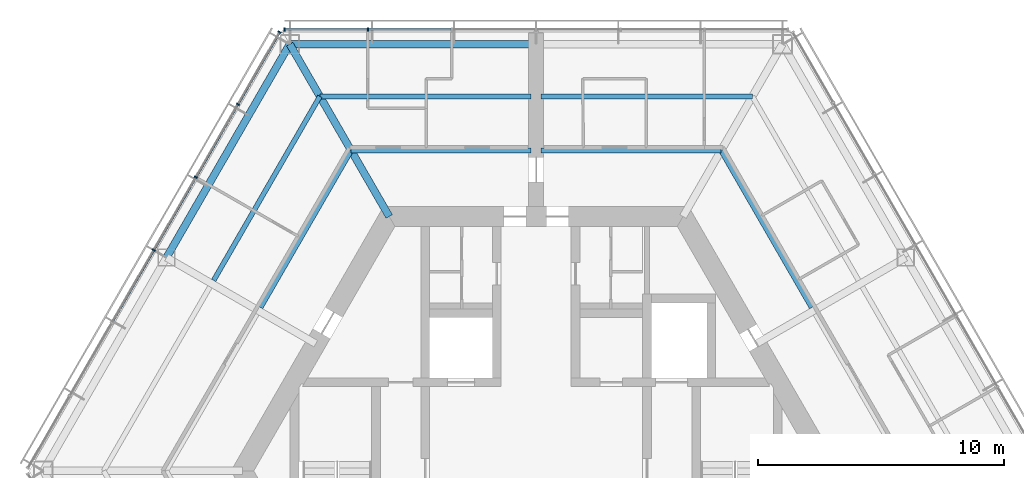
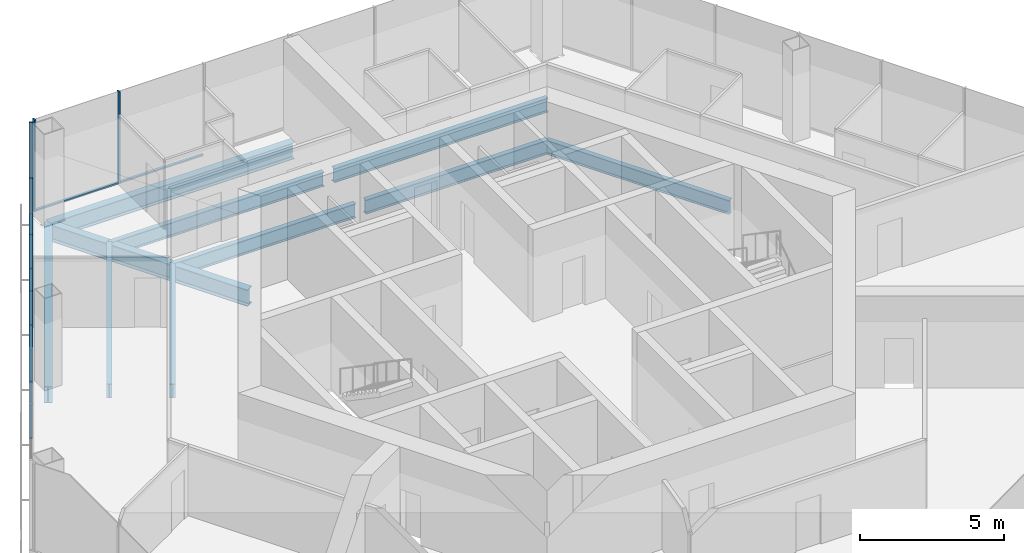
# One storey, part 6 of 14: 12 members, 10 beams, 2 elements without a shape of their own.
"""IFC4 building model written with IfcOpenShell, lengths in metres."""

import ifcopenshell
import ifcopenshell.guid

model = None  # the IFC model being written
_history = None  # IfcOwnerHistory: only IFC2X3 demands one
_inside = {}  # id of a spatial element -> (the spatial element, [elements in it])
_under = {}  # id of a project, library or spatial element -> (it, [spatial elements below it])
_declared = {}  # id of a project -> (the project, [libraries it declares])
_typed = {}  # id of a type object -> (the type object, [elements of that type])
_made_of = {}  # id of a material, layer set ... -> (it, [elements and type objects made of it])


def new_model(schema):
    """Start an empty IFC model of exactly this schema.

    Asked for "IFC4X3", IfcOpenShell would pick the latest addendum, in which some entities
    have other attributes; the version numbers below select the first issue.
    IFC2X3 requires an IfcOwnerHistory on every rooted entity: one is made here for all.
    """
    global model, _history
    if schema == "IFC4X3":
        model = ifcopenshell.file(schema_version=(4, 3, 0, 0))
    else:
        model = ifcopenshell.file(schema=schema)
    _inside.clear()
    _under.clear()
    _declared.clear()
    _typed.clear()
    _made_of.clear()
    _history = None
    if model.schema == "IFC2X3":
        org = make("IfcOrganization", Name="unknown")
        user = make(
            "IfcPersonAndOrganization",
            ThePerson=make("IfcPerson", FamilyName="unknown"),
            TheOrganization=org,
        )
        app = make(
            "IfcApplication",
            ApplicationDeveloper=org,
            Version="unknown",
            ApplicationFullName="unknown",
            ApplicationIdentifier="unknown",
        )
        _history = make(
            "IfcOwnerHistory",
            OwningUser=user,
            OwningApplication=app,
            ChangeAction="ADDED",
            CreationDate=0,
        )
    return model


def make(cls, **values):
    """One entity of the class cls with the attributes given. An attribute that is None is left unset."""
    return model.create_entity(
        cls, **{name: value for name, value in values.items() if value is not None}
    )


def rooted(cls, **values):
    """An entity with a GlobalId (a new one), such as an element, a storey or a relation."""
    return make(cls, GlobalId=ifcopenshell.guid.new(), OwnerHistory=_history, **values)


def si_unit(unit_type, name, prefix=None):
    """IfcSIUnit, for example si_unit("LENGTHUNIT", "METRE", prefix="MILLI")."""
    return make("IfcSIUnit", UnitType=unit_type, Prefix=prefix, Name=name)


def assignment(units):
    """IfcUnitAssignment: the units of a project."""
    return None if units is None else make("IfcUnitAssignment", Units=units)


def point(xyz):
    """IfcCartesianPoint."""
    return None if xyz is None else make("IfcCartesianPoint", Coordinates=xyz)


def direction(xyz):
    """IfcDirection."""
    return None if xyz is None else make("IfcDirection", DirectionRatios=xyz)


def frame(location, z_axis=None, x_axis=None):
    """IfcAxis2Placement3D, a coordinate frame: its origin and axes. An axis left out is left unset."""
    return make(
        "IfcAxis2Placement3D",
        Location=point(location),
        Axis=direction(z_axis),
        RefDirection=direction(x_axis),
    )


def frame_2d(location, x_axis=None):
    """IfcAxis2Placement2D, a coordinate frame in the plane: its origin and x axis."""
    return make(
        "IfcAxis2Placement2D", Location=point(location), RefDirection=direction(x_axis)
    )


def origin():
    """The frame at (0, 0, 0) with its axes left unset."""
    return frame((0.0, 0.0, 0.0))


def origin_2d():
    """The frame at (0, 0) in the plane with its x axis left unset."""
    return frame_2d((0.0, 0.0))


def place(relative_to, where):
    """IfcLocalPlacement: puts the frame where relative to a parent placement (None: the world)."""
    return make(
        "IfcLocalPlacement", PlacementRelTo=relative_to, RelativePlacement=where
    )


def context(
    kind, dimensions, precision=None, world=None, true_north=None, identifier=None
):
    """IfcGeometricRepresentationContext, for example the 3D "Model" context."""
    return make(
        "IfcGeometricRepresentationContext",
        ContextIdentifier=identifier,
        ContextType=kind,
        CoordinateSpaceDimension=dimensions,
        Precision=precision,
        WorldCoordinateSystem=world,
        TrueNorth=true_north,
    )


def subcontext(parent, identifier, kind, view, scale=None):
    """IfcGeometricRepresentationSubContext, for example "Body" below "Model"."""
    return make(
        "IfcGeometricRepresentationSubContext",
        ContextIdentifier=identifier,
        ContextType=kind,
        ParentContext=parent,
        TargetScale=scale,
        TargetView=view,
    )


def project(units=None, contexts=None):
    """IfcProject with its units and contexts."""
    return rooted(
        "IfcProject",
        Name="project",
        RepresentationContexts=contexts,
        UnitsInContext=assignment(units),
    )


def spatial(cls, under=None, at=None, **own):
    """A site, building, storey or space (cls), placed at a placement, below another one or the project."""
    s = rooted(cls, ObjectPlacement=at, **own)
    if under is not None:
        _under.setdefault(under.id(), (under, []))[1].append(s)
    return s


def profile(cls, at=None, kind="AREA", **sizes):
    """A parametric profile (cls). Its sizes go by their IFC names, for example OverallWidth=200.0."""
    return make(cls, ProfileType=kind, Position=at, **sizes)


def rectangle(**sizes):
    """IfcRectangleProfileDef."""
    return profile("IfcRectangleProfileDef", **sizes)


def i_section(**sizes):
    """IfcIShapeProfileDef."""
    return profile("IfcIShapeProfileDef", **sizes)


def extrude(swept, where, along, depth):
    """IfcExtrudedAreaSolid: the profile swept, set in the frame where, extruded along a direction by depth."""
    return make(
        "IfcExtrudedAreaSolid",
        SweptArea=swept,
        Position=where,
        ExtrudedDirection=direction(along),
        Depth=depth,
    )


def shape(context_of_items, identifier, shape_type, items):
    """IfcShapeRepresentation: the items that make up one representation, for example the "Body"."""
    return make(
        "IfcShapeRepresentation",
        ContextOfItems=context_of_items,
        RepresentationIdentifier=identifier,
        RepresentationType=shape_type,
        Items=items,
    )


def material(Name=None, Category=None):
    """IfcMaterial."""
    return make("IfcMaterial", Name=Name, Category=Category)


def material_profile(
    of_material, cross_section, Name=None, Category=None, Priority=None
):
    """IfcMaterialProfile: a cross section and its material."""
    return make(
        "IfcMaterialProfile",
        Name=Name,
        Material=of_material,
        Profile=cross_section,
        Priority=Priority,
        Category=Category,
    )


def profile_set(profiles, Name=None, composite=None):
    """IfcMaterialProfileSet."""
    return make(
        "IfcMaterialProfileSet",
        Name=Name,
        MaterialProfiles=profiles,
        CompositeProfile=composite,
    )


def made_of(thing, what):
    """Note that an element or type object is made of a material, layer set ...; save() writes the relation."""
    if what is not None:
        _made_of.setdefault(what.id(), (what, []))[1].append(thing)
    return thing


def type_object(cls, material=None, **own):
    """A type object (cls), such as IfcWallType, which elements share."""
    return made_of(rooted(cls, **own), material)


def element(
    cls,
    number,
    at=None,
    inside=None,
    cuts=None,
    type_object=None,
    material=None,
    context=None,
    identifier="Body",
    shape_type=None,
    held_by="IfcProductDefinitionShape",
    body=None,
    shapes=None,
    **own,
):
    """One element of the class cls, such as IfcWall. Its Tag is "e" and its number.

    at: its placement. inside: the storey or other place that contains it. cuts: it is an
    opening in that element (IfcRelVoidsElement). A single representation is given by context,
    identifier, shape_type and body (its items); several are given by shapes. held_by: the class
    of the entity that holds the representations. save() writes the other relations.
    """
    e = rooted(cls, Tag="e%d" % number, ObjectPlacement=at, **own)
    if body is not None:
        shapes = [shape(context, identifier, shape_type, body)]
    if shapes is not None:
        e.Representation = make(held_by, Representations=shapes)
    if inside is not None:
        _inside.setdefault(inside.id(), (inside, []))[1].append(e)
    if cuts is not None:
        rooted(
            "IfcRelVoidsElement", RelatingBuildingElement=cuts, RelatedOpeningElement=e
        )
    if type_object is not None:
        _typed.setdefault(type_object.id(), (type_object, []))[1].append(e)
    return made_of(e, material)


def aggregate(whole, parts):
    """IfcRelAggregates: a whole, such as a stair, and the parts it consists of."""
    return rooted("IfcRelAggregates", RelatingObject=whole, RelatedObjects=parts)


def save(model, path):
    """Write the relations noted so far, then the file.

    IfcRelAggregates (storeys below a building ...), IfcRelContainedInSpatialStructure (elements
    in a storey), IfcRelDefinesByType, IfcRelAssociatesMaterial and IfcRelDeclares: one each for
    every whole, place, type object, material and project.
    """
    for whole, parts in _under.values():
        aggregate(whole, parts)
    for where, things in _inside.values():
        rooted(
            "IfcRelContainedInSpatialStructure",
            RelatedElements=things,
            RelatingStructure=where,
        )
    for kind, things in _typed.values():
        rooted("IfcRelDefinesByType", RelatedObjects=things, RelatingType=kind)
    for what, things in _made_of.values():
        rooted("IfcRelAssociatesMaterial", RelatedObjects=things, RelatingMaterial=what)
    for by, libraries in _declared.values():
        rooted("IfcRelDeclares", RelatingContext=by, RelatedDefinitions=libraries)
    model.write(path)


model = new_model("IFC4")

# Units and contexts
model_context = context("Model", 3, precision=1e-05, world=origin(), true_north=direction((0.0, 1.0)))
body_context = subcontext(model_context, "Body", "Model", "MODEL_VIEW")
ifc_project = project(units=[si_unit("LENGTHUNIT", "METRE"), si_unit("AREAUNIT", "SQUARE_METRE"), si_unit("VOLUMEUNIT", "CUBIC_METRE"), si_unit("PLANEANGLEUNIT", "RADIAN"), si_unit("MASSUNIT", "GRAM", prefix="KILO")], contexts=[model_context])

# Site, building, storey
site_placement = place(None, origin())
site = spatial("IfcSite", under=ifc_project, at=site_placement, CompositionType="ELEMENT")
building_placement = place(site_placement, origin())
building = spatial("IfcBuilding", under=site, at=building_placement, Name="Kasaneha Research Tower", CompositionType="ELEMENT")
storey_placement = place(building_placement, frame((0.0, 0.0, 216.699951171875)))
storey = spatial("IfcBuildingStorey", under=building, at=storey_placement, Name="L54", CompositionType="ELEMENT", Elevation=216.699951171875)

# Beams
ifc_material_1 = material(Name="Steel SN490B", Category="steel")
ifc_material_profile_1 = material_profile(ifc_material_1, i_section(OverallWidth=0.199951171875, OverallDepth=0.60009765625, WebThickness=0.010986328125, FlangeThickness=0.01708984375, FilletRadius=0.012939453125, at=origin_2d()), Name="H-600x200x11x17")
ifc_profile_set_1 = profile_set([ifc_material_profile_1], Name="Steel SN490B")
beam_type_1 = type_object("IfcBeamType", Name="B1-3 secondary beam H-600x200x11x17", PredefinedType="JOIST", material=ifc_profile_set_1)
beam_1_placement = place(storey_placement, frame((7.505615234375, 13.0, -0.449951171875), z_axis=(0.499994443168, -0.866028611999, 0.0), x_axis=(0.866028611999, 0.499994443168, 0.0)))
element("IfcBeam", 1, at=beam_1_placement, inside=storey, type_object=beam_type_1, Name="Secondary beam RS030R1 L54", PredefinedType="JOIST", context=body_context, shape_type="SweptSolid", body=[
    extrude(i_section(OverallWidth=0.199951171875, OverallDepth=0.60009765625, WebThickness=0.010986328125, FlangeThickness=0.01708984375, FilletRadius=0.012939453125, at=origin_2d()), origin(), (0.0, 0.0, 1.0), 7.35546875),
])
beam_2_placement = place(storey_placement, frame((7.505615234375, 13.0, -0.449951171875), z_axis=(-1.0, 0.0, 0.0), x_axis=(0.0, -1.0, 0.0)))
element("IfcBeam", 2, at=beam_2_placement, inside=storey, type_object=beam_type_1, Name="Secondary beam RS090L1 L54", PredefinedType="JOIST", context=body_context, shape_type="SweptSolid", body=[
    extrude(i_section(OverallWidth=0.199951171875, OverallDepth=0.60009765625, WebThickness=0.010986328125, FlangeThickness=0.01708984375, FilletRadius=0.012939453125, at=origin_2d()), origin(), (0.0, 0.0, 1.0), 7.3056640625),
])
beam_3_placement = place(storey_placement, frame((8.775634765625, 15.199951171875, -0.449951171875), z_axis=(-1.0, 0.0, 0.0), x_axis=(0.0, -1.0, 0.0)))
element("IfcBeam", 3, at=beam_3_placement, inside=storey, type_object=beam_type_1, Name="Secondary beam RS090L2 L54", PredefinedType="JOIST", context=body_context, shape_type="SweptSolid", body=[
    extrude(i_section(OverallWidth=0.199951171875, OverallDepth=0.60009765625, WebThickness=0.010986328125, FlangeThickness=0.01708984375, FilletRadius=0.012939453125, at=origin_2d()), origin(), (0.0, 0.0, 1.0), 8.57568359375),
])
beam_4_placement = place(storey_placement, frame((-7.505615234375, 13.0, -0.449951171875), z_axis=(1.0, 0.0, 0.0), x_axis=(0.0, 1.0, 0.0)))
element("IfcBeam", 4, at=beam_4_placement, inside=storey, type_object=beam_type_1, Name="Secondary beam RS090R1 L54", PredefinedType="JOIST", context=body_context, shape_type="SweptSolid", body=[
    extrude(i_section(OverallWidth=0.199951171875, OverallDepth=0.60009765625, WebThickness=0.010986328125, FlangeThickness=0.01708984375, FilletRadius=0.012939453125, at=origin_2d()), origin(), (0.0, 0.0, 1.0), 7.3056640625),
])
beam_5_placement = place(storey_placement, frame((-8.775634765625, 15.199951171875, -0.449951171875), z_axis=(1.0, 0.0, 0.0), x_axis=(0.0, 1.0, 0.0)))
element("IfcBeam", 5, at=beam_5_placement, inside=storey, type_object=beam_type_1, Name="Secondary beam RS090R2 L54", PredefinedType="JOIST", context=body_context, shape_type="SweptSolid", body=[
    extrude(i_section(OverallWidth=0.199951171875, OverallDepth=0.60009765625, WebThickness=0.010986328125, FlangeThickness=0.01708984375, FilletRadius=0.012939453125, at=origin_2d()), origin(), (0.0, 0.0, 1.0), 8.57568359375),
])
beam_6_placement = place(storey_placement, frame((-7.505615234375, 13.0, -0.449951171875), z_axis=(-0.499994443168, -0.866028611999, 0.0), x_axis=(0.866028611999, -0.499994443168, 0.0)))
element("IfcBeam", 6, at=beam_6_placement, inside=storey, type_object=beam_type_1, Name="Secondary beam RS150L1 L54", PredefinedType="JOIST", context=body_context, shape_type="SweptSolid", body=[
    extrude(i_section(OverallWidth=0.199951171875, OverallDepth=0.60009765625, WebThickness=0.010986328125, FlangeThickness=0.01708984375, FilletRadius=0.012939453125, at=origin_2d()), origin(), (0.0, 0.0, 1.0), 7.35546875),
])
beam_7_placement = place(storey_placement, frame((-8.775634765625, 15.199951171875, -0.449951171875), z_axis=(-0.500017275495, -0.866015429543, 0.0), x_axis=(0.866015429543, -0.500017275495, 0.0)))
element("IfcBeam", 7, at=beam_7_placement, inside=storey, type_object=beam_type_1, Name="Secondary beam RS150L2 L54", PredefinedType="JOIST", context=body_context, shape_type="SweptSolid", body=[
    extrude(i_section(OverallWidth=0.199951171875, OverallDepth=0.60009765625, WebThickness=0.010986328125, FlangeThickness=0.01708984375, FilletRadius=0.012939453125, at=origin_2d()), origin(), (0.0, 0.0, 1.0), 8.625732421875),
])

# Curtain wall, members
ifc_material_2 = material(Name="Glass and aluminium", Category="aluminium")
curtain_wall_type = type_object("IfcCurtainWallType", Name="High-rise office curtain wall", PredefinedType="USERDEFINED", material=ifc_material_2)
curtain_wall_1_placement = place(storey_placement, origin())
curtain_wall_1 = element("IfcCurtainWall", 8, at=curtain_wall_1_placement, inside=storey, type_object=curtain_wall_type, Name="CW-O3 L54 run 02a", ObjectType="UNITISED CURTAIN WALL", PredefinedType="USERDEFINED")
ifc_material_3 = material(Name="Aluminium 6063-T6", Category="aluminium")
ifc_material_profile_2 = material_profile(ifc_material_3, rectangle(XDim=0.06005859375, YDim=0.139892578125, at=origin_2d()), Name="CW-O3 mullion 60x140")
ifc_profile_set_2 = profile_set([ifc_material_profile_2], Name="Aluminium 6063-T6")
member_type_1 = type_object("IfcMemberType", Name="CW-O3 mullion", PredefinedType="MULLION", material=ifc_profile_set_2)
member_1_placement = place(storey_placement, frame((-6.8310546875, 17.92041015625, 0.0), z_axis=(0.0, 0.0, 1.0), x_axis=(-1.0, 0.0, 0.0)))
member_1 = element("IfcMember", 9, at=member_1_placement, type_object=member_type_1, Name="CW-O3 mullion 6", PredefinedType="MULLION", context=body_context, shape_type="SweptSolid", body=[
    extrude(rectangle(XDim=0.06005859375, YDim=0.139892578125, at=origin_2d()), origin(), (0.0, 0.0, 1.0), 3.900146484375),
])
member_2_placement = place(storey_placement, frame((-10.21630859375, 17.92041015625, 0.0), z_axis=(0.0, 0.0, 1.0), x_axis=(-1.0, 0.0, 0.0)))
member_2 = element("IfcMember", 10, at=member_2_placement, type_object=member_type_1, Name="CW-O3 mullion 7", PredefinedType="MULLION", context=body_context, shape_type="SweptSolid", body=[
    extrude(rectangle(XDim=0.06005859375, YDim=0.139892578125, at=origin_2d()), origin(), (0.0, 0.0, 1.0), 3.900146484375),
])

curtain_wall_2_placement = place(storey_placement, origin())
curtain_wall_2 = element("IfcCurtainWall", 11, at=curtain_wall_2_placement, inside=storey, type_object=curtain_wall_type, Name="CW-O3 L54 run 03a", ObjectType="UNITISED CURTAIN WALL", PredefinedType="USERDEFINED")
member_3_placement = place(storey_placement, frame((-10.411376953125, 17.807861328125, 0.0), z_axis=(0.0, 0.0, 1.0), x_axis=(-0.499999995722, -0.866025406254, 0.0)))
member_3 = element("IfcMember", 12, at=member_3_placement, type_object=member_type_1, Name="CW-O3 mullion 1", PredefinedType="MULLION", context=body_context, shape_type="SweptSolid", body=[
    extrude(rectangle(XDim=0.06005859375, YDim=0.139892578125, at=origin_2d()), origin(), (0.0, 0.0, 1.0), 3.900146484375),
])
member_4_placement = place(storey_placement, frame((-12.104248046875, 14.8759765625, 0.0), z_axis=(0.0, 0.0, 1.0), x_axis=(-0.499999995722, -0.866025406254, 0.0)))
member_4 = element("IfcMember", 13, at=member_4_placement, type_object=member_type_1, Name="CW-O3 mullion 2", PredefinedType="MULLION", context=body_context, shape_type="SweptSolid", body=[
    extrude(rectangle(XDim=0.06005859375, YDim=0.139892578125, at=origin_2d()), origin(), (0.0, 0.0, 1.0), 3.900146484375),
])
member_5_placement = place(storey_placement, frame((-13.811767578125, 11.918212890625, 0.0), z_axis=(0.0, 0.0, 1.0), x_axis=(-0.499999995722, -0.866025406254, 0.0)))
member_5 = element("IfcMember", 14, at=member_5_placement, type_object=member_type_1, Name="CW-O3 mullion 3", PredefinedType="MULLION", context=body_context, shape_type="SweptSolid", body=[
    extrude(rectangle(XDim=0.06005859375, YDim=0.139892578125, at=origin_2d()), origin(), (0.0, 0.0, 1.0), 3.900146484375),
])
member_6_placement = place(storey_placement, frame((-15.51953125, 8.960205078125, 0.0), z_axis=(0.0, 0.0, 1.0), x_axis=(-0.499999995722, -0.866025406254, 0.0)))
member_6 = element("IfcMember", 15, at=member_6_placement, type_object=member_type_1, Name="CW-O3 mullion 4", PredefinedType="MULLION", context=body_context, shape_type="SweptSolid", body=[
    extrude(rectangle(XDim=0.06005859375, YDim=0.139892578125, at=origin_2d()), origin(), (0.0, 0.0, 1.0), 3.900146484375),
])

# Member
ifc_material_4 = material(Name="Aluminium 6063-T6", Category="aluminium")
ifc_material_profile_3 = material_profile(ifc_material_4, rectangle(XDim=0.10009765625, YDim=0.06005859375, at=origin_2d()), Name="CW-O3 transom 100x60")
ifc_profile_set_3 = profile_set([ifc_material_profile_3], Name="Aluminium 6063-T6")
member_type_2 = type_object("IfcMemberType", Name="CW-O3 transom", PredefinedType="USERDEFINED", material=ifc_profile_set_3)
member_7_placement = place(storey_placement, frame((-3.445556640625, 17.92041015625, 0.030029296875), z_axis=(-1.0, 0.0, 0.0), x_axis=(0.0, -1.0, 0.0)))
member_7 = element("IfcMember", 16, at=member_7_placement, type_object=member_type_2, Name="CW-O3 transom 5", ObjectType="TRANSOM", PredefinedType="USERDEFINED", context=body_context, shape_type="SweptSolid", body=[
    extrude(rectangle(XDim=0.10009765625, YDim=0.06005859375, at=origin_2d()), origin(), (0.0, 0.0, 1.0), 3.35546875),
])

member_8_placement = place(storey_placement, frame((-6.86083984375, 17.92041015625, 0.030029296875), z_axis=(-1.0, 0.0, 0.0), x_axis=(0.0, -1.0, 0.0)))
member_8 = element("IfcMember", 17, at=member_8_placement, type_object=member_type_2, Name="CW-O3 transom 6", ObjectType="TRANSOM", PredefinedType="USERDEFINED", context=body_context, shape_type="SweptSolid", body=[
    extrude(rectangle(XDim=0.10009765625, YDim=0.06005859375, at=origin_2d()), origin(), (0.0, 0.0, 1.0), 3.32568359375),
])

aggregate(curtain_wall_1, [member_1, member_2, member_7, member_8])

member_9_placement = place(storey_placement, frame((-10.426513671875, 17.781982421875, 0.030029296875), z_axis=(-0.49997666526, -0.866038875684, 0.0), x_axis=(0.866038875684, -0.49997666526, 0.0)))
member_9 = element("IfcMember", 18, at=member_9_placement, type_object=member_type_2, Name="CW-O3 transom 1", ObjectType="TRANSOM", PredefinedType="USERDEFINED", context=body_context, shape_type="SweptSolid", body=[
    extrude(rectangle(XDim=0.10009765625, YDim=0.06005859375, at=origin_2d()), origin(), (0.0, 0.0, 1.0), 3.325439453125),
])

member_10_placement = place(storey_placement, frame((-12.119140625, 14.85009765625, 0.030029296875), z_axis=(-0.499989072476, -0.866031712701, 0.0), x_axis=(0.866031712701, -0.499989072476, 0.0)))
member_10 = element("IfcMember", 19, at=member_10_placement, type_object=member_type_2, Name="CW-O3 transom 2", ObjectType="TRANSOM", PredefinedType="USERDEFINED", context=body_context, shape_type="SweptSolid", body=[
    extrude(rectangle(XDim=0.10009765625, YDim=0.06005859375, at=origin_2d()), origin(), (0.0, 0.0, 1.0), 3.35546875),
])

member_11_placement = place(storey_placement, frame((-13.826904296875, 11.89208984375, 0.030029296875), z_axis=(-0.500020578564, -0.866013522419, 0.0), x_axis=(0.866013522419, -0.500020578564, 0.0)))
member_11 = element("IfcMember", 20, at=member_11_placement, type_object=member_type_2, Name="CW-O3 transom 3", ObjectType="TRANSOM", PredefinedType="USERDEFINED", context=body_context, shape_type="SweptSolid", body=[
    extrude(rectangle(XDim=0.10009765625, YDim=0.06005859375, at=origin_2d()), origin(), (0.0, 0.0, 1.0), 3.355224609375),
])

member_12_placement = place(storey_placement, frame((-15.53466796875, 8.934326171875, 0.030029296875), z_axis=(-0.499989072476, -0.866031712701, 0.0), x_axis=(0.866031712701, -0.499989072476, 0.0)))
member_12 = element("IfcMember", 21, at=member_12_placement, type_object=member_type_2, Name="CW-O3 transom 4", ObjectType="TRANSOM", PredefinedType="USERDEFINED", context=body_context, shape_type="SweptSolid", body=[
    extrude(rectangle(XDim=0.10009765625, YDim=0.06005859375, at=origin_2d()), origin(), (0.0, 0.0, 1.0), 3.35546875),
])

aggregate(curtain_wall_2, [member_3, member_4, member_5, member_6, member_9, member_10, member_11, member_12])

# Beams
ifc_material_5 = material(Name="Steel SN490B", Category="steel")
ifc_material_profile_4 = material_profile(ifc_material_5, i_section(OverallWidth=0.300048828125, OverallDepth=0.699951171875, WebThickness=0.012939453125, FlangeThickness=0.02392578125, FilletRadius=0.01806640625, at=origin_2d()), Name="H-700x300x13x24")
ifc_profile_set_4 = profile_set([ifc_material_profile_4], Name="Steel SN490B")
beam_type_2 = type_object("IfcBeamType", Name="G1-3 radial girder H-700x300x13x24", PredefinedType="BEAM", material=ifc_profile_set_4)
beam_8_placement = place(storey_placement, frame((-5.961181640625, 10.324951171875, -0.5), z_axis=(-0.49999105496, 0.866030568144, 0.0), x_axis=(-0.866030568144, -0.49999105496, 0.0)))
element("IfcBeam", 22, at=beam_8_placement, inside=storey, type_object=beam_type_2, Name="Radial girder RV120 L54", PredefinedType="BEAM", context=body_context, shape_type="SweptSolid", body=[
    extrude(i_section(OverallWidth=0.300048828125, OverallDepth=0.699951171875, WebThickness=0.012939453125, FlangeThickness=0.02392578125, FilletRadius=0.01806640625, at=origin_2d()), origin(), (0.0, 0.0, 1.0), 8.077880859375),
])
ifc_material_6 = material(Name="Steel SN490B", Category="steel")
ifc_material_profile_5 = material_profile(ifc_material_6, i_section(OverallWidth=0.300048828125, OverallDepth=0.69189453125, WebThickness=0.012939453125, FlangeThickness=0.02001953125, FilletRadius=0.01806640625, at=origin_2d()), Name="H-692x300x13x20")
ifc_profile_set_5 = profile_set([ifc_material_profile_5], Name="Steel SN490B")
beam_type_3 = type_object("IfcBeamType", Name="G3-3 plate edge girder H-692x300x13x20", PredefinedType="BEAM", material=ifc_profile_set_5)
beam_9_placement = place(storey_placement, frame((-10.0, 17.320556640625, -0.495849609375), z_axis=(1.0, 0.0, 0.0), x_axis=(0.0, 1.0, 0.0)))
element("IfcBeam", 23, at=beam_9_placement, inside=storey, type_object=beam_type_3, Name="Plate edge girder PEAN L54", PredefinedType="BEAM", context=body_context, shape_type="SweptSolid", body=[
    extrude(i_section(OverallWidth=0.300048828125, OverallDepth=0.69189453125, WebThickness=0.012939453125, FlangeThickness=0.02001953125, FilletRadius=0.01806640625, at=origin_2d()), origin(), (0.0, 0.0, 1.0), 9.800048828125),
])
ifc_material_7 = material(Name="Steel SN490B", Category="steel")
ifc_material_profile_6 = material_profile(ifc_material_7, i_section(OverallWidth=0.300048828125, OverallDepth=0.69189453125, WebThickness=0.012939453125, FlangeThickness=0.02001953125, FilletRadius=0.01806640625, at=origin_2d()), Name="H-692x300x13x20")
ifc_profile_set_6 = profile_set([ifc_material_profile_6], Name="Steel SN490B")
beam_type_4 = type_object("IfcBeamType", Name="SB1-3 spandrel beam H-692x300x13x20", PredefinedType="SPANDREL", material=ifc_profile_set_6)
beam_10_placement = place(storey_placement, frame((-10.0, 17.320556640625, -0.495849609375), z_axis=(-0.499993662806, -0.866029062534, 0.0), x_axis=(0.866029062534, -0.499993662806, 0.0)))
element("IfcBeam", 24, at=beam_10_placement, inside=storey, type_object=beam_type_4, Name="Spandrel beam SR150L L54", PredefinedType="SPANDREL", context=body_context, shape_type="SweptSolid", body=[
    extrude(i_section(OverallWidth=0.300048828125, OverallDepth=0.69189453125, WebThickness=0.012939453125, FlangeThickness=0.02001953125, FilletRadius=0.01806640625, at=origin_2d()), origin(), (0.0, 0.0, 1.0), 10.000244140625),
])

save(model, "model.ifc")
